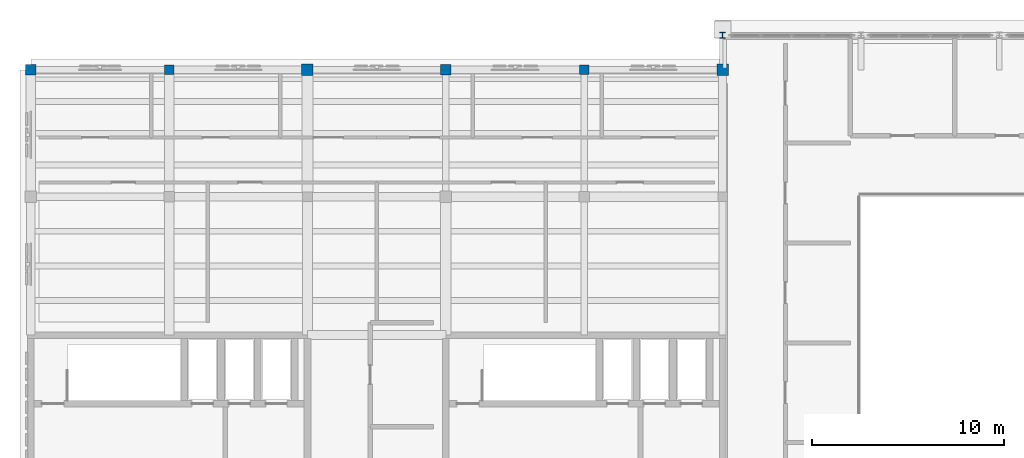
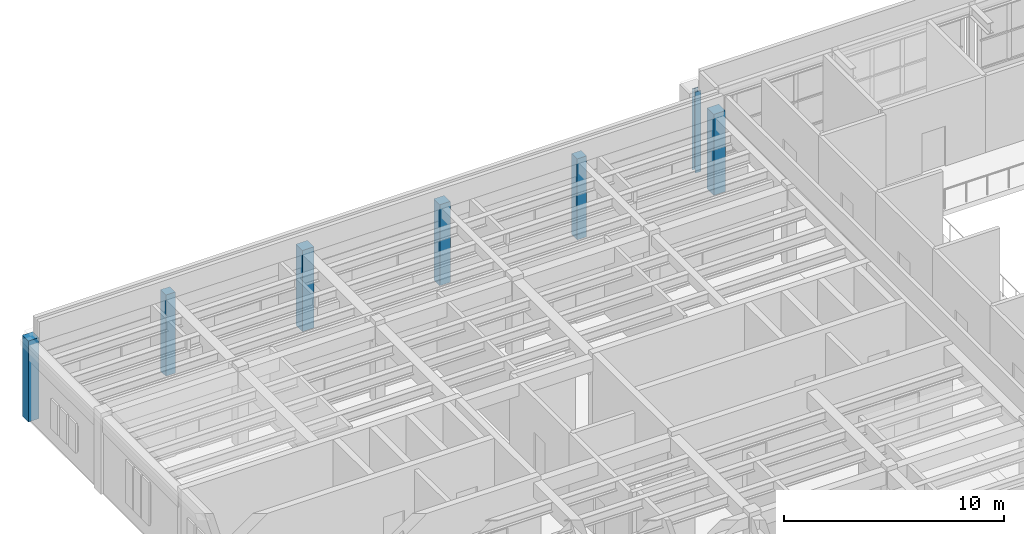
# One storey, part 3 of 18: 7 columns.
"""IFC4 building model written with IfcOpenShell, lengths in metres."""

from ifc_helpers import new_model, si_unit, direction, frame, origin, origin_2d, place, context, subcontext, project, spatial, rectangle, i_section, extrude, material, material_profile, profile_set, type_object, element, save


model = new_model("IFC4")

# Units and contexts
model_context = context("Model", 3, precision=1e-05, world=origin(), true_north=direction((0.0, 1.0)))
body_context = subcontext(model_context, "Body", "Model", "MODEL_VIEW")
ifc_project = project(units=[si_unit("LENGTHUNIT", "METRE"), si_unit("AREAUNIT", "SQUARE_METRE"), si_unit("VOLUMEUNIT", "CUBIC_METRE"), si_unit("PLANEANGLEUNIT", "RADIAN"), si_unit("MASSUNIT", "GRAM", prefix="KILO")], contexts=[model_context])

# Site, building, storey
site_placement = place(None, origin())
site = spatial("IfcSite", under=ifc_project, at=site_placement, CompositionType="ELEMENT")
building_placement = place(site_placement, origin())
building = spatial("IfcBuilding", under=site, at=building_placement, Name="Mithqara Police Headquarters", CompositionType="ELEMENT")
storey_placement = place(building_placement, frame((0.0, 0.0, 30.89990234375)))
storey = spatial("IfcBuildingStorey", under=building, at=storey_placement, Name="L07", CompositionType="ELEMENT", Elevation=30.89990234375)

# Columns
ifc_material_1 = material(Name="Steel S355JR", Category="steel")
ifc_material_profile_1 = material_profile(ifc_material_1, i_section(OverallWidth=0.300048828125, OverallDepth=0.300048828125, WebThickness=0.010986328125, FlangeThickness=0.01904296875, FilletRadius=0.027099609375, at=origin_2d()), Name="HEB 300")
ifc_profile_set_1 = profile_set([ifc_material_profile_1], Name="Steel S355JR")
column_type_1 = type_object("IfcColumnType", Name="COLUMN HEB300", PredefinedType="COLUMN", material=ifc_profile_set_1)
column_placement = place(storey_placement, frame((144.60009765625, 115.800048828125, 0.0), z_axis=(0.0, 0.0, 1.0), x_axis=(1.0, 0.0, 0.0)))
element("IfcColumn", 1, at=column_placement, inside=storey, type_object=column_type_1, Name="L07 Proud Command Cube Steel Column 11", PredefinedType="COLUMN", context=body_context, shape_type="SweptSolid", body=[
    extrude(i_section(OverallWidth=0.300048828125, OverallDepth=0.300048828125, WebThickness=0.010986328125, FlangeThickness=0.01904296875, FilletRadius=0.027099609375, at=origin_2d()), origin(), (0.0, 0.0, 1.0), 4.5),
])
ifc_material_2 = material(Name="Concrete C50/60", Category="concrete")
ifc_material_profile_2 = material_profile(ifc_material_2, rectangle(XDim=0.5, YDim=0.5, at=origin_2d()), Name="RC 500x500")
ifc_profile_set_2 = profile_set([ifc_material_profile_2], Name="Concrete C50/60")
column_type_2 = type_object("IfcColumnType", Name="COLUMN RC500", PredefinedType="COLUMN", material=ifc_profile_set_2)
for number, where, z_axis, x_axis, name in (
    (2, (115.800048828125, 114.0, 0.0), (0.0, 0.0, 1.0), (1.0, 0.0, 0.0), "L07 Column 17/S"),
    (3, (137.39990234375, 114.0, 0.0), (0.0, 0.0, 1.0), (1.0, 0.0, 0.0), "L07 Column 20/S"),
):
    element("IfcColumn", number, at=place(storey_placement, frame(where, z_axis=z_axis, x_axis=x_axis)), inside=storey, type_object=column_type_2, Name=name, PredefinedType="COLUMN", context=body_context, shape_type="SweptSolid", body=[
        extrude(rectangle(XDim=0.5, YDim=0.5, at=origin_2d()), origin(), (0.0, 0.0, 1.0), 4.5),
    ])
ifc_material_profile_3 = material_profile(ifc_material_2, rectangle(XDim=0.550048828125, YDim=0.550048828125, at=origin_2d()), Name="RC 550x550")
ifc_profile_set_3 = profile_set([ifc_material_profile_3], Name="Concrete C50/60")
column_type_3 = type_object("IfcColumnType", Name="COLUMN RC550", PredefinedType="COLUMN", material=ifc_profile_set_3)
for number, where, z_axis, x_axis, name in (
    (4, (108.60009765625, 114.0, 0.0), (0.0, 0.0, 1.0), (1.0, 0.0, 0.0), "L07 Column 16/S"),
    (5, (130.199951171875, 114.0, 0.0), (0.0, 0.0, 1.0), (1.0, 0.0, 0.0), "L07 Column 19/S"),
):
    element("IfcColumn", number, at=place(storey_placement, frame(where, z_axis=z_axis, x_axis=x_axis)), inside=storey, type_object=column_type_3, Name=name, PredefinedType="COLUMN", context=body_context, shape_type="SweptSolid", body=[
        extrude(rectangle(XDim=0.550048828125, YDim=0.550048828125, at=origin_2d()), origin(), (0.0, 0.0, 1.0), 4.5),
    ])
ifc_material_profile_4 = material_profile(ifc_material_2, rectangle(XDim=0.60009765625, YDim=0.60009765625, at=origin_2d()), Name="RC 600x600")
ifc_profile_set_4 = profile_set([ifc_material_profile_4], Name="Concrete C50/60")
column_type_4 = type_object("IfcColumnType", Name="COLUMN RC600", PredefinedType="COLUMN", material=ifc_profile_set_4)
for number, where, z_axis, x_axis, name in (
    (6, (123.0, 114.0, 0.0), (0.0, 0.0, 1.0), (1.0, 0.0, 0.0), "L07 Column 18/S"),
    (7, (144.60009765625, 114.0, 0.0), (0.0, 0.0, 1.0), (1.0, 0.0, 0.0), "L07 Column 21/S"),
):
    element("IfcColumn", number, at=place(storey_placement, frame(where, z_axis=z_axis, x_axis=x_axis)), inside=storey, type_object=column_type_4, Name=name, PredefinedType="COLUMN", context=body_context, shape_type="SweptSolid", body=[
        extrude(rectangle(XDim=0.60009765625, YDim=0.60009765625, at=origin_2d()), origin(), (0.0, 0.0, 1.0), 4.5),
    ])

save(model, "model.ifc")
